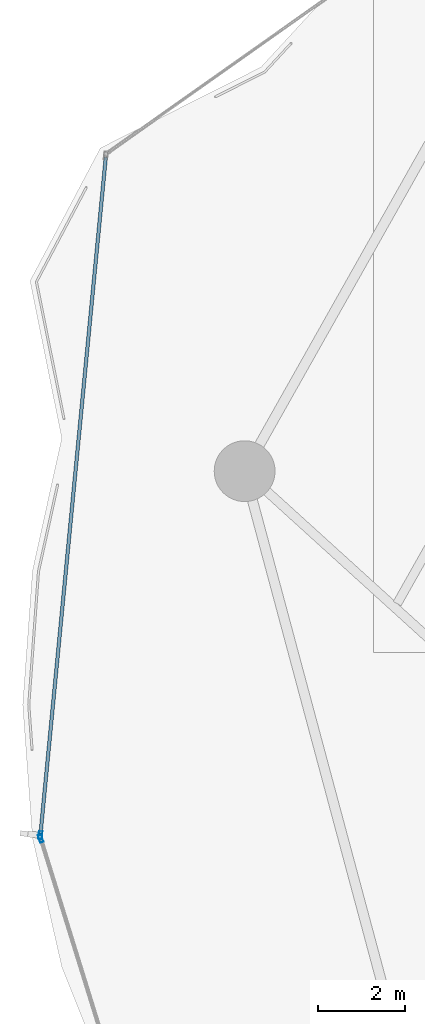
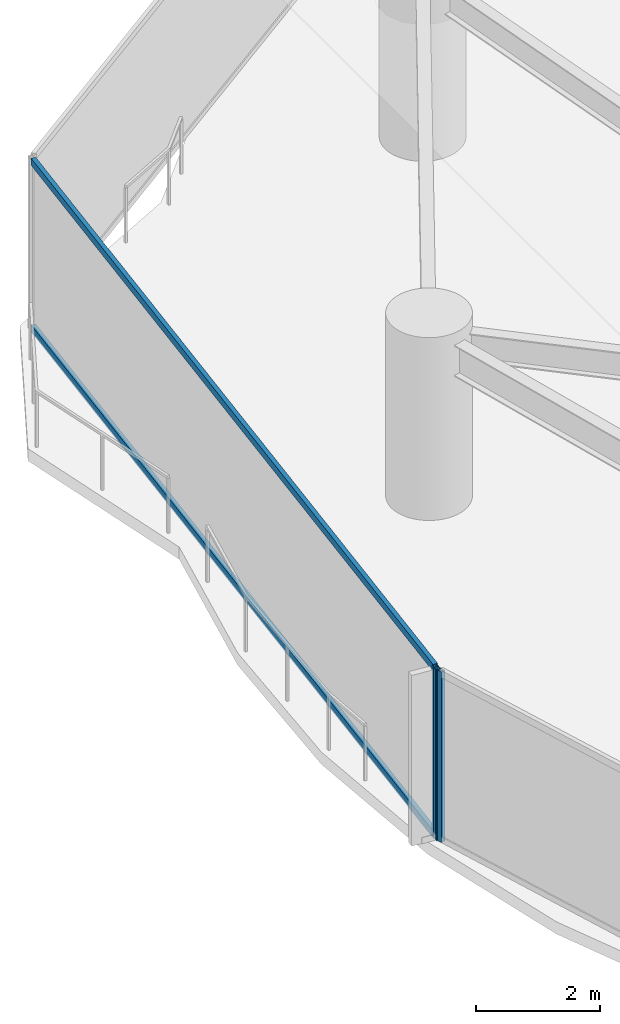
# One storey, part 8 of 32: 4 members, 2 elements without a shape of their own.
"""IFC4 building model written with IfcOpenShell, lengths in metres."""

from ifc_helpers import new_model, si_unit, direction, frame, origin, origin_2d, place, context, subcontext, project, spatial, hollow_rectangle, extrude, material, layer, layer_set, material_profile, profile_set, type_object, element, aggregate, save


model = new_model("IFC4")

# Units and contexts
model_context = context("Model", 3, precision=1e-05, world=origin(), true_north=direction((0.0, 1.0)))
body_context = subcontext(model_context, "Body", "Model", "MODEL_VIEW")
ifc_project = project(units=[si_unit("LENGTHUNIT", "METRE"), si_unit("AREAUNIT", "SQUARE_METRE"), si_unit("VOLUMEUNIT", "CUBIC_METRE"), si_unit("PLANEANGLEUNIT", "RADIAN"), si_unit("MASSUNIT", "GRAM", prefix="KILO")], contexts=[model_context])

# Site, building, storey
site_placement = place(None, origin())
site = spatial("IfcSite", under=ifc_project, at=site_placement, CompositionType="ELEMENT")
building_placement = place(site_placement, origin())
building = spatial("IfcBuilding", under=site, at=building_placement, Name="Kazevale Care Tower and Concert Hall", CompositionType="ELEMENT")
storey_placement = place(building_placement, frame((0.0, 0.0, 42.0)))
storey = spatial("IfcBuildingStorey", under=building, at=storey_placement, Name="L10", CompositionType="ELEMENT", Elevation=42.0)

# Curtain wall, member
ifc_material_1 = material(Name="Aluminium 6063-T6 and Low-E Glass", Category="aluminium")
ifc_layer = layer(ifc_material_1, 0.179931640625)
ifc_layer_set = layer_set([ifc_layer], Name="Aluminium 6063-T6 and Low-E Glass")
curtain_wall_type = type_object("IfcCurtainWallType", Name="Waist & Upper Residential Curtain Wall CW-4", PredefinedType="NOTDEFINED", material=ifc_layer_set)
curtain_wall_1_placement = place(storey_placement, origin())
curtain_wall_1 = element("IfcCurtainWall", 1, at=curtain_wall_1_placement, inside=storey, type_object=curtain_wall_type, Name="cw:L10:f12", PredefinedType="NOTDEFINED")
ifc_material_2 = material(Name="Aluminium 6063-T6", Category="aluminium")
ifc_material_profile_1 = material_profile(ifc_material_2, hollow_rectangle(XDim=0.080078125, YDim=0.179931640625, WallThickness=0.0048828125, at=origin_2d()), Name="ALU80x180x5")
ifc_profile_set_1 = profile_set([ifc_material_profile_1], Name="Aluminium 6063-T6")
member_type_1 = type_object("IfcMemberType", Name="CW-4 Mullion ALU80x180x5", PredefinedType="MULLION", material=ifc_profile_set_1)
member_1_placement = place(storey_placement, frame((9.61572265625, 34.919677734375, 0.0), z_axis=(0.0, 0.0, 1.0), x_axis=(-0.955157326175, -0.296098771112, 0.0)))
member_1 = element("IfcMember", 2, at=member_1_placement, type_object=member_type_1, Name="CW-4 mullion 2", PredefinedType="MULLION", context=body_context, shape_type="SweptSolid", body=[
    extrude(hollow_rectangle(XDim=0.080078125, YDim=0.179931640625, WallThickness=0.0048828125, at=origin_2d()), origin(), (0.0, 0.0, 1.0), 3.360107421875),
])
aggregate(curtain_wall_1, [member_1])

# Curtain wall, members
curtain_wall_2_placement = place(storey_placement, origin())
curtain_wall_2 = element("IfcCurtainWall", 3, at=curtain_wall_2_placement, inside=storey, type_object=curtain_wall_type, Name="cw:L10:f13", PredefinedType="NOTDEFINED")
member_2_placement = place(storey_placement, frame((9.60791015625, 34.997802734375, 0.0), z_axis=(0.0, 0.0, 1.0), x_axis=(-0.995380693067, 0.096006644923, 0.0)))
member_2 = element("IfcMember", 4, at=member_2_placement, type_object=member_type_1, Name="CW-4 mullion 1", PredefinedType="MULLION", context=body_context, shape_type="SweptSolid", body=[
    extrude(hollow_rectangle(XDim=0.080078125, YDim=0.179931640625, WallThickness=0.0048828125, at=origin_2d()), origin(), (0.0, 0.0, 1.0), 3.360107421875),
])
ifc_material_profile_2 = material_profile(ifc_material_2, hollow_rectangle(XDim=0.080078125, YDim=0.139892578125, WallThickness=0.00390625, at=origin_2d()), Name="ALU80x140x4")
ifc_profile_set_2 = profile_set([ifc_material_profile_2], Name="Aluminium 6063-T6")
member_type_2 = type_object("IfcMemberType", Name="CW-4 Transom ALU80x140x4", PredefinedType="USERDEFINED", material=ifc_profile_set_2)
member_3_placement = place(storey_placement, frame((9.611572265625, 35.03759765625, 0.0400390625), z_axis=(0.096010418756, 0.995380329065, 0.0), x_axis=(-0.995380329065, 0.096010418756, 0.0)))
member_3 = element("IfcMember", 5, at=member_3_placement, type_object=member_type_2, Name="CW-4 transom 1.1", ObjectType="TRANSOM", PredefinedType="USERDEFINED", context=body_context, shape_type="SweptSolid", body=[
    extrude(hollow_rectangle(XDim=0.080078125, YDim=0.139892578125, WallThickness=0.00390625, at=origin_2d()), origin(), (0.0, 0.0, 1.0), 15.64111328125),
])
member_4_placement = place(storey_placement, frame((9.611572265625, 35.03759765625, 3.320068359375), z_axis=(0.096010418756, 0.995380329065, 0.0), x_axis=(-0.995380329065, 0.096010418756, 0.0)))
member_4 = element("IfcMember", 6, at=member_4_placement, type_object=member_type_2, Name="CW-4 transom 1.2", ObjectType="TRANSOM", PredefinedType="USERDEFINED", context=body_context, shape_type="SweptSolid", body=[
    extrude(hollow_rectangle(XDim=0.080078125, YDim=0.139892578125, WallThickness=0.00390625, at=origin_2d()), origin(), (0.0, 0.0, 1.0), 15.64111328125),
])
aggregate(curtain_wall_2, [member_2, member_3, member_4])

save(model, "model.ifc")
